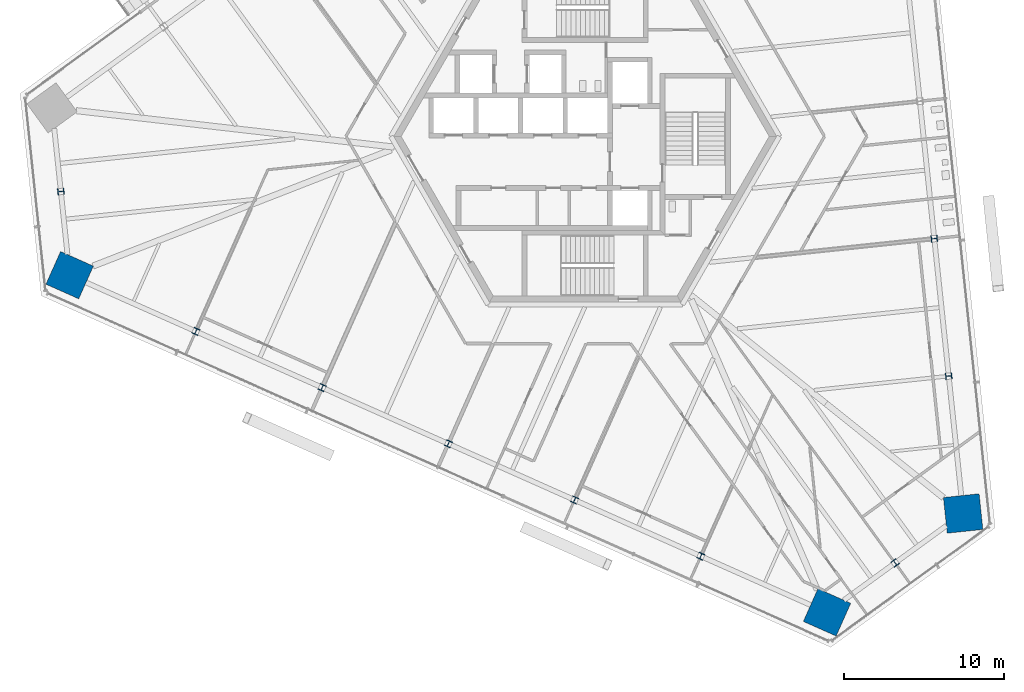
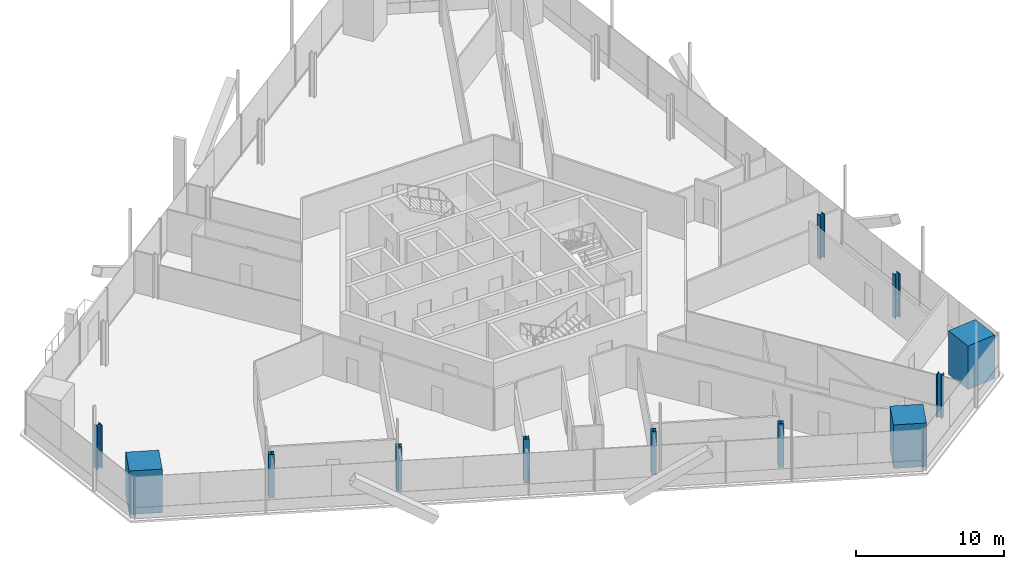
# One storey, part 1 of 21: 12 columns.
"""IFC4 building model written with IfcOpenShell, lengths in metres."""

from ifc_helpers import new_model, si_unit, direction, frame, origin, origin_2d, place, context, subcontext, project, spatial, rectangle, i_section, extrude, source, transform, mapped, material, material_profile, profile_set, type_object, element, save


model = new_model("IFC4")

# Units and contexts
model_context = context("Model", 3, precision=1e-05, world=origin(), true_north=direction((0.0, 1.0)))
body_context = subcontext(model_context, "Body", "Model", "MODEL_VIEW")
ifc_project = project(units=[si_unit("LENGTHUNIT", "METRE"), si_unit("AREAUNIT", "SQUARE_METRE"), si_unit("VOLUMEUNIT", "CUBIC_METRE"), si_unit("PLANEANGLEUNIT", "RADIAN"), si_unit("MASSUNIT", "GRAM", prefix="KILO")], contexts=[model_context])

# Site, building, storey
site_placement = place(None, origin())
site = spatial("IfcSite", under=ifc_project, at=site_placement, CompositionType="ELEMENT")
building_placement = place(site_placement, origin())
building = spatial("IfcBuilding", under=site, at=building_placement, Name="Triune Harvest Tower", CompositionType="ELEMENT")
storey_placement = place(building_placement, frame((0.0, 0.0, 80.10009765625)))
storey = spatial("IfcBuildingStorey", under=building, at=storey_placement, Name="L19", CompositionType="ELEMENT", Elevation=80.10009765625)

# Columns
ifc_material_1 = material(Name="Concrete 70 MPa", Category="concrete")
ifc_material_profile_1 = material_profile(ifc_material_1, rectangle(XDim=2.25, YDim=2.25, at=origin_2d()), Name="Composite 2250x2250")
ifc_profile_set_1 = profile_set([ifc_material_profile_1], Name="Concrete 70 MPa")
column_type_1 = type_object("IfcColumnType", Name="MC-2 Mega column Composite 2250x2250", PredefinedType="COLUMN", material=ifc_profile_set_1)
shared_shape_1 = source(origin(), body_context, "Body", "SweptSolid", [
    extrude(rectangle(XDim=2.25, YDim=2.25, at=origin_2d()), origin(), (0.0, 0.0, 1.0), 3.599853515625),
])
for number, where, z_axis, x_axis, name in (
    (1, (23.693359375, -23.6396484375, 0.0), (0.0, 0.0, 1.0), (-0.104526727499, 0.994522077803, 0.0), "col/L19/M0"),
    (2, (-32.319091796875, -8.69921875, 0.0), (0.0, 0.0, 1.0), (0.913545457643, -0.406736643076, 0.0), "col/L19/M16"),
    (3, (15.160888671875, -29.8388671875, 0.0), (0.0, 0.0, 1.0), (0.913545457643, -0.406736643076, 0.0), "col/L19/M22"),
):
    element("IfcColumn", number, at=place(storey_placement, frame(where, z_axis=z_axis, x_axis=x_axis)), inside=storey, type_object=column_type_1, Name=name, PredefinedType="COLUMN", context=body_context, shape_type="MappedRepresentation", body=[
        mapped(shared_shape_1, transform((0.0, 0.0, 0.0), scale=1.0)),
    ])
ifc_material_2 = material(Name="Steel ASTM A992 Gr 50", Category="steel")
ifc_material_profile_2 = material_profile(ifc_material_2, i_section(OverallWidth=0.398681640625, OverallDepth=0.393798828125, WebThickness=0.022705078125, FlangeThickness=0.03662109375, at=origin_2d()), Name="W14x193")
ifc_profile_set_2 = profile_set([ifc_material_profile_2], Name="Steel ASTM A992 Gr 50")
column_type_2 = type_object("IfcColumnType", Name="PC-2 Perimeter column W14x193", PredefinedType="COLUMN", material=ifc_profile_set_2)
shared_shape_2 = source(origin(), body_context, "Body", "SweptSolid", [
    extrude(i_section(OverallWidth=0.398681640625, OverallDepth=0.393798828125, WebThickness=0.022705078125, FlangeThickness=0.03662109375, at=origin_2d()), origin(), (0.0, 0.0, 1.0), 3.599853515625),
])
for number, where, z_axis, x_axis, name in (
    (4, (22.787841796875, -15.02490234375, 0.0), (0.0, 0.0, 1.0), (-0.104526727499, 0.994522077803, 0.0), "col/L19/P1"),
    (5, (21.88232421875, -6.409912109375, 0.0), (0.0, 0.0, 1.0), (-0.104526727499, 0.994522077803, 0.0), "col/L19/P2"),
    (6, (-32.870361328125, -3.454833984375, 0.0), (0.0, 0.0, 1.0), (0.104528463268, -0.994521895368, 0.0), "col/L19/P15"),
    (7, (-24.40576171875, -12.222412109375, 0.0), (0.0, 0.0, 1.0), (0.913545457643, -0.406736643076, 0.0), "col/L19/P17"),
    (8, (-16.492431640625, -15.745849609375, 0.0), (0.0, 0.0, 1.0), (0.913545457643, -0.406736643076, 0.0), "col/L19/P18"),
    (9, (-8.5791015625, -19.26904296875, 0.0), (0.0, 0.0, 1.0), (0.913545457643, -0.406736643076, 0.0), "col/L19/P19"),
    (10, (-0.665771484375, -22.792236328125, 0.0), (0.0, 0.0, 1.0), (0.913545457643, -0.406736643076, 0.0), "col/L19/P20"),
    (11, (7.24755859375, -26.3154296875, 0.0), (0.0, 0.0, 1.0), (0.913545457643, -0.406736643076, 0.0), "col/L19/P21"),
    (12, (19.427001953125, -26.7392578125, 0.0), (0.0, 0.0, 1.0), (0.809014942612, 0.587788076291, 0.0), "col/L19/P23"),
):
    element("IfcColumn", number, at=place(storey_placement, frame(where, z_axis=z_axis, x_axis=x_axis)), inside=storey, type_object=column_type_2, Name=name, PredefinedType="COLUMN", context=body_context, shape_type="MappedRepresentation", body=[
        mapped(shared_shape_2, transform((0.0, 0.0, 0.0), scale=1.0)),
    ])

save(model, "model.ifc")
